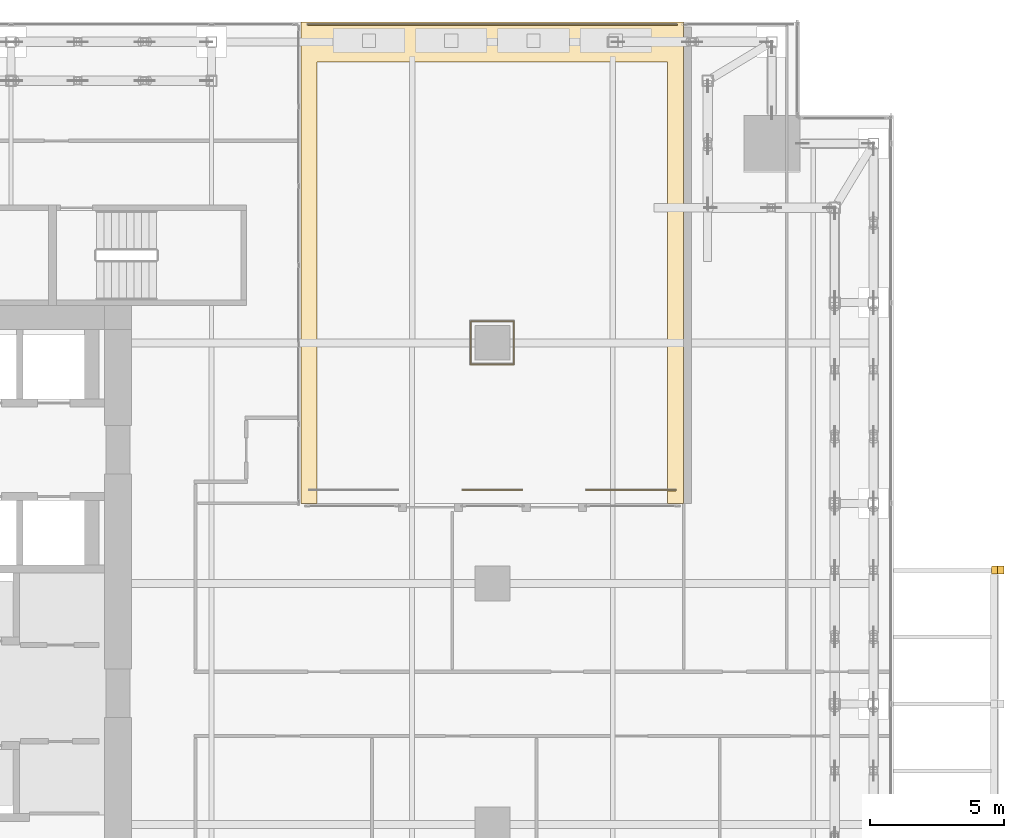
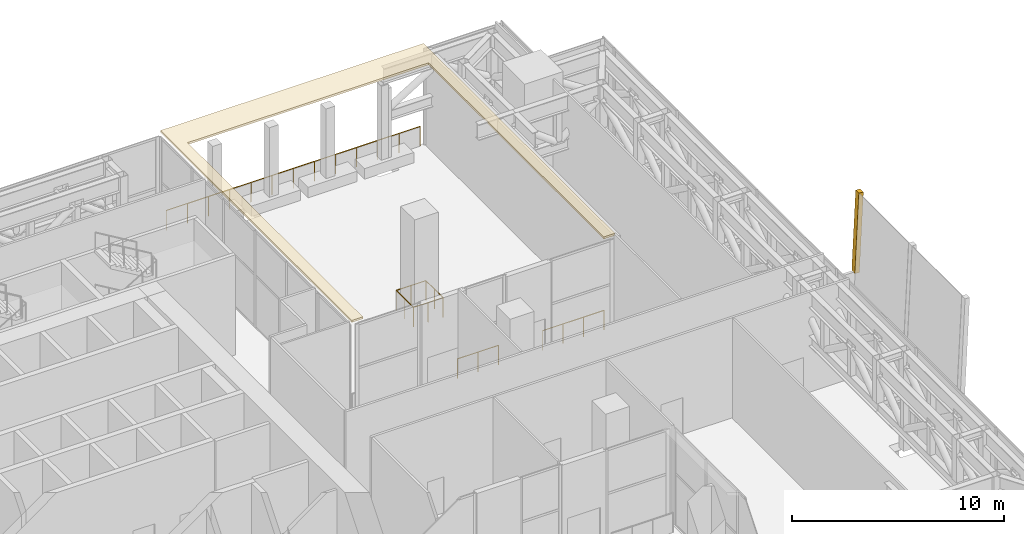
# One storey, part 46 of 47: 7 railings, 2 coverings.
"""IFC4 building model written with IfcOpenShell, lengths in metres."""

from ifc_helpers import new_model, si_unit, direction, frame, origin, origin_2d, place, context, subcontext, project, spatial, polyline, circle, outline, extrude, source, transform, mapped, material, layer, layer_set, type_object, element, save


model = new_model("IFC4")

# Units and contexts
model_context = context("Model", 3, precision=1e-05, world=origin(), true_north=direction((0.0, 1.0)))
body_context = subcontext(model_context, "Body", "Model", "MODEL_VIEW")
ifc_project = project(units=[si_unit("LENGTHUNIT", "METRE"), si_unit("AREAUNIT", "SQUARE_METRE"), si_unit("VOLUMEUNIT", "CUBIC_METRE"), si_unit("PLANEANGLEUNIT", "RADIAN"), si_unit("MASSUNIT", "GRAM", prefix="KILO")], contexts=[model_context])

# Site, building, storey
site_placement = place(None, origin())
site = spatial("IfcSite", under=ifc_project, at=site_placement, CompositionType="ELEMENT")
building_placement = place(site_placement, origin())
building = spatial("IfcBuilding", under=site, at=building_placement, Name="Khomas Fold Tower", CompositionType="ELEMENT")
storey_placement = place(building_placement, frame((0.0, 0.0, 158.699951171875)))
storey = spatial("IfcBuildingStorey", under=building, at=storey_placement, Name="L34", CompositionType="ELEMENT", Elevation=158.699951171875)

# Covering
ifc_material_1 = material(Name="Natural stone cladding", Category="masonry")
ifc_layer_1 = layer(ifc_material_1, 0.25)
ifc_layer_set_1 = layer_set([ifc_layer_1], Name="Natural stone cladding")
covering_type_1 = type_object("IfcCoveringType", Name="SK-Karibib marble stone mullion", PredefinedType="CLADDING", material=ifc_layer_set_1)
covering_1_placement = place(storey_placement, frame((56.378662109375, 31.85009765625, 5.550048828125), z_axis=(-0.998874483586, 0.000282383832, 0.047430858098), x_axis=(0.000282066016, 0.99999996013, -1.3393708e-05)))
element("IfcCovering", 1, at=covering_1_placement, inside=storey, type_object=covering_type_1, Name="OUTER SKIN mullion L34 EM104-5", PredefinedType="CLADDING", context=body_context, shape_type="SweptSolid", body=[
    extrude(outline(polyline([(0.0, 0.0), (0.29980467554669266, 5.07888896107559e-22), (0.2998047209459001, 4.332260810722886), (0.2695312368396811, 4.555175977517533), (-2.4140230366705064e-09, 4.555175977517533), (0.0, 0.0)])), origin(), (0.0, 0.0, -1.0), 0.25),
])

# Railings
ifc_material_2 = material(Name="Powder-coated steel", Category="steel")
railing_type = type_object("IfcRailingType", Name="Balcony guard", PredefinedType="GUARDRAIL", material=ifc_material_2)
shared_shape_1 = source(origin(), body_context, "Body", "SweptSolid", [
    extrude(circle(Radius=0.02490234375, at=origin_2d()), frame((0.0, 0.0, 1.125), z_axis=(1.0, 0.0, 0.0), x_axis=(0.0, 1.0, 0.0)), (0.0, 0.0, 1.0), 4.599853515625),
    extrude(circle(Radius=0.02001953125, at=origin_2d()), origin(), (0.0, 0.0, 1.0), 1.099853515625),
    extrude(circle(Radius=0.02001953125, at=origin_2d()), frame((1.14990234375, 0.0, 0.0)), (0.0, 0.0, 1.0), 1.099853515625),
    extrude(circle(Radius=0.02001953125, at=origin_2d()), frame((2.2998046875, 0.0, 0.0)), (0.0, 0.0, 1.0), 1.099853515625),
    extrude(circle(Radius=0.02001953125, at=origin_2d()), frame((3.449951171875, 0.0, 0.0)), (0.0, 0.0, 1.0), 1.099853515625),
    extrude(circle(Radius=0.02001953125, at=origin_2d()), frame((4.599853515625, 0.0, 0.0)), (0.0, 0.0, 1.0), 1.099853515625),
])
for number, where, name in (
    (2, (30.60009765625, 52.39990234375, 0.0), "GUARD 211"),
    (3, (39.800048828125, 52.39990234375, 0.0), "GUARD 211"),
):
    element("IfcRailing", number, at=place(storey_placement, frame(where)), inside=storey, type_object=railing_type, Name=name, PredefinedType="GUARDRAIL", context=body_context, shape_type="MappedRepresentation", body=[
        mapped(shared_shape_1, transform((0.0, 0.0, 0.0))),
    ])
shared_shape_2 = source(origin(), body_context, "Body", "SweptSolid", [
    extrude(circle(Radius=0.02490234375, at=origin_2d()), frame((0.0, 0.0, 1.125), z_axis=(1.0, 0.0, 0.0), x_axis=(0.0, 1.0, 0.0)), (0.0, 0.0, 1.0), 4.60009765625),
    extrude(circle(Radius=0.02001953125, at=origin_2d()), origin(), (0.0, 0.0, 1.0), 1.099853515625),
    extrude(circle(Radius=0.02001953125, at=origin_2d()), frame((1.14990234375, 0.0, 0.0)), (0.0, 0.0, 1.0), 1.099853515625),
    extrude(circle(Radius=0.02001953125, at=origin_2d()), frame((2.300048828125, 0.0, 0.0)), (0.0, 0.0, 1.0), 1.099853515625),
    extrude(circle(Radius=0.02001953125, at=origin_2d()), frame((3.4501953125, 0.0, 0.0)), (0.0, 0.0, 1.0), 1.099853515625),
    extrude(circle(Radius=0.02001953125, at=origin_2d()), frame((4.60009765625, 0.0, 0.0)), (0.0, 0.0, 1.0), 1.099853515625),
])
railing_1_placement = place(storey_placement, frame((35.199951171875, 52.39990234375, 0.0)))
element("IfcRailing", 4, at=railing_1_placement, inside=storey, type_object=railing_type, Name="GUARD 211", PredefinedType="GUARDRAIL", context=body_context, shape_type="MappedRepresentation", body=[
    mapped(shared_shape_2, transform((0.0, 0.0, 0.0))),
])
shared_shape_3 = source(origin(), body_context, "Body", "SweptSolid", [
    extrude(circle(Radius=0.02490234375, at=origin_2d()), frame((0.0, 0.0, 1.125), z_axis=(0.0, 1.0, 0.0), x_axis=(-1.0, 0.0, 0.0)), (0.0, 0.0, 1.0), 1.60986328125),
    extrude(circle(Radius=0.02490234375, at=origin_2d()), frame((0.0, 1.60986328125, 1.125), z_axis=(1.0, 0.0, 0.0), x_axis=(0.0, 1.0, 0.0)), (0.0, 0.0, 1.0), 1.60986328125),
    extrude(circle(Radius=0.02490234375, at=origin_2d()), frame((1.60986328125, 1.60986328125, 1.125), z_axis=(0.0, -1.0, 0.0), x_axis=(1.0, 0.0, 0.0)), (0.0, 0.0, 1.0), 1.60986328125),
    extrude(circle(Radius=0.02001953125, at=origin_2d()), origin(), (0.0, 0.0, 1.0), 1.099853515625),
    extrude(circle(Radius=0.02001953125, at=origin_2d()), frame((0.0, 0.804931640625, 0.0)), (0.0, 0.0, 1.0), 1.099853515625),
    extrude(circle(Radius=0.02001953125, at=origin_2d()), frame((0.0, 1.60986328125, 0.0)), (0.0, 0.0, 1.0), 1.099853515625),
    extrude(circle(Radius=0.02001953125, at=origin_2d()), frame((0.804931640625, 1.60986328125, 0.0)), (0.0, 0.0, 1.0), 1.099853515625),
    extrude(circle(Radius=0.02001953125, at=origin_2d()), frame((1.60986328125, 1.60986328125, 0.0)), (0.0, 0.0, 1.0), 1.099853515625),
    extrude(circle(Radius=0.02001953125, at=origin_2d()), frame((1.60986328125, 0.804931640625, 0.0)), (0.0, 0.0, 1.0), 1.099853515625),
    extrude(circle(Radius=0.02001953125, at=origin_2d()), frame((1.60986328125, 0.0, 0.0)), (0.0, 0.0, 1.0), 1.099853515625),
])
railing_2_placement = place(storey_placement, frame((36.695068359375, 39.695068359375, 0.0)))
element("IfcRailing", 5, at=railing_2_placement, inside=storey, type_object=railing_type, Name="GUARD 211", PredefinedType="GUARDRAIL", context=body_context, shape_type="MappedRepresentation", body=[
    mapped(shared_shape_3, transform((0.0, 0.0, 0.0))),
])
shared_shape_4 = source(origin(), body_context, "Body", "SweptSolid", [
    extrude(circle(Radius=0.02490234375, at=origin_2d()), frame((0.0, 0.0, 1.125), z_axis=(-1.0, 0.0, 0.0), x_axis=(0.0, -1.0, 0.0)), (0.0, 0.0, 1.0), 1.60986328125),
    extrude(circle(Radius=0.02001953125, at=origin_2d()), origin(), (0.0, 0.0, 1.0), 1.099853515625),
    extrude(circle(Radius=0.02001953125, at=origin_2d()), frame((-0.804931640625, 0.0, 0.0)), (0.0, 0.0, 1.0), 1.099853515625),
    extrude(circle(Radius=0.02001953125, at=origin_2d()), frame((-1.60986328125, 0.0, 0.0)), (0.0, 0.0, 1.0), 1.099853515625),
])
railing_3_placement = place(storey_placement, frame((38.304931640625, 39.695068359375, 0.0)))
element("IfcRailing", 6, at=railing_3_placement, inside=storey, type_object=railing_type, Name="GUARD 211", PredefinedType="GUARDRAIL", context=body_context, shape_type="MappedRepresentation", body=[
    mapped(shared_shape_4, transform((0.0, 0.0, 0.0))),
])
shared_shape_5 = source(origin(), body_context, "Body", "SweptSolid", [
    extrude(circle(Radius=0.02490234375, at=origin_2d()), frame((0.0, 0.0, 1.125), z_axis=(-1.0, 0.0, 0.0), x_axis=(0.0, -1.0, 0.0)), (0.0, 0.0, 1.0), 3.33349609375),
    extrude(circle(Radius=0.02001953125, at=origin_2d()), origin(), (0.0, 0.0, 1.0), 1.099853515625),
    extrude(circle(Radius=0.02001953125, at=origin_2d()), frame((-1.111083984375, 0.0, 0.0)), (0.0, 0.0, 1.0), 1.099853515625),
    extrude(circle(Radius=0.02001953125, at=origin_2d()), frame((-2.222412109375, 0.0, 0.0)), (0.0, 0.0, 1.0), 1.099853515625),
    extrude(circle(Radius=0.02001953125, at=origin_2d()), frame((-3.33349609375, 0.0, 0.0)), (0.0, 0.0, 1.0), 1.099853515625),
])
railing_4_placement = place(storey_placement, frame((44.35009765625, 35.0, 0.0)))
element("IfcRailing", 7, at=railing_4_placement, inside=storey, type_object=railing_type, Name="GUARD 211", PredefinedType="GUARDRAIL", context=body_context, shape_type="MappedRepresentation", body=[
    mapped(shared_shape_5, transform((0.0, 0.0, 0.0))),
])
shared_shape_6 = source(origin(), body_context, "Body", "SweptSolid", [
    extrude(circle(Radius=0.02490234375, at=origin_2d()), frame((0.0, 0.0, 1.125), z_axis=(-1.0, 0.0, 0.0), x_axis=(0.0, -1.0, 0.0)), (0.0, 0.0, 1.0), 2.2333984375),
    extrude(circle(Radius=0.02001953125, at=origin_2d()), origin(), (0.0, 0.0, 1.0), 1.099853515625),
    extrude(circle(Radius=0.02001953125, at=origin_2d()), frame((-1.11669921875, 0.0, 0.0)), (0.0, 0.0, 1.0), 1.099853515625),
    extrude(circle(Radius=0.02001953125, at=origin_2d()), frame((-2.2333984375, 0.0, 0.0)), (0.0, 0.0, 1.0), 1.099853515625),
])
railing_5_placement = place(storey_placement, frame((38.61669921875, 35.0, 0.0)))
element("IfcRailing", 8, at=railing_5_placement, inside=storey, type_object=railing_type, Name="GUARD 211", PredefinedType="GUARDRAIL", context=body_context, shape_type="MappedRepresentation", body=[
    mapped(shared_shape_6, transform((0.0, 0.0, 0.0))),
])

# Covering
ifc_material_3 = material(Name="Natural stone cladding", Category="masonry")
ifc_layer_2 = layer(ifc_material_3, 0.1201171875)
ifc_layer_set_2 = layer_set([ifc_layer_2], Name="Natural stone cladding")
covering_type_2 = type_object("IfcCoveringType", Name="Notch soffit stone GN-SF", PredefinedType="CLADDING", material=ifc_layer_set_2)
shared_shape_7 = source(origin(), body_context, "Body", "SweptSolid", [
    extrude(outline(polyline([(30.949951171875, 34.5), (30.949951171875, 51.0), (44.050048828125, 51.0), (44.050048828125, 34.5), (44.64990234375, 34.5), (44.64990234375, 52.5), (30.35009765625, 52.5), (30.35009765625, 34.5), (30.949951171875, 34.5)])), origin(), (0.0, 0.0, 1.0), 0.119873046875),
])
covering_2_placement = place(storey_placement, frame((0.0, 0.0, 5.630126953125)))
element("IfcCovering", 9, at=covering_2_placement, inside=storey, type_object=covering_type_2, Name="Notch soffit stone", PredefinedType="CLADDING", context=body_context, shape_type="MappedRepresentation", body=[
    mapped(shared_shape_7, transform((0.0, 0.0, 0.0))),
])

save(model, "model.ifc")
